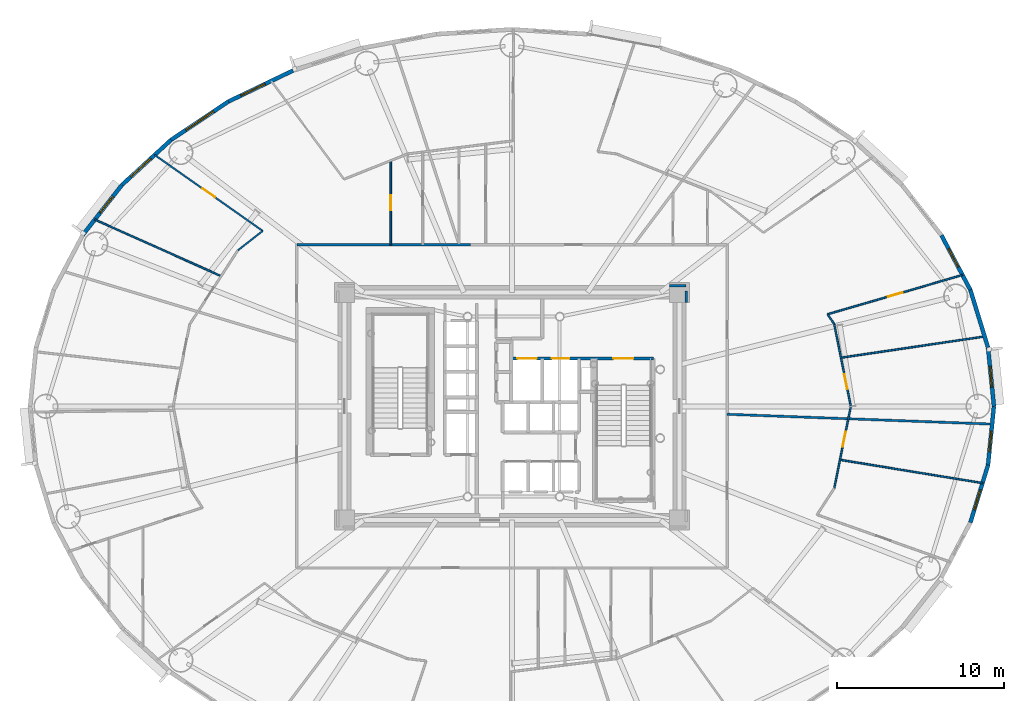
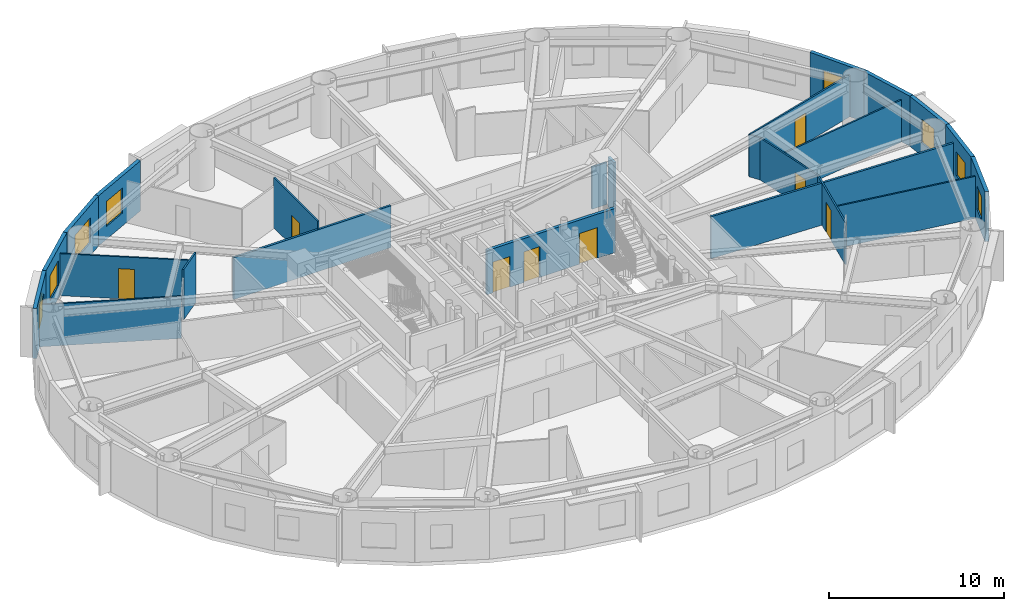
# One storey, part 12 of 19: 24 walls, 8 doors, 8 windows, 16 openings.
"""IFC4 building model written with IfcOpenShell, lengths in metres."""

import ifcopenshell
import ifcopenshell.guid

model = None  # the IFC model being written
_history = None  # IfcOwnerHistory: only IFC2X3 demands one
_inside = {}  # id of a spatial element -> (the spatial element, [elements in it])
_under = {}  # id of a project, library or spatial element -> (it, [spatial elements below it])
_declared = {}  # id of a project -> (the project, [libraries it declares])
_typed = {}  # id of a type object -> (the type object, [elements of that type])
_made_of = {}  # id of a material, layer set ... -> (it, [elements and type objects made of it])


def new_model(schema):
    """Start an empty IFC model of exactly this schema.

    Asked for "IFC4X3", IfcOpenShell would pick the latest addendum, in which some entities
    have other attributes; the version numbers below select the first issue.
    IFC2X3 requires an IfcOwnerHistory on every rooted entity: one is made here for all.
    """
    global model, _history
    if schema == "IFC4X3":
        model = ifcopenshell.file(schema_version=(4, 3, 0, 0))
    else:
        model = ifcopenshell.file(schema=schema)
    _inside.clear()
    _under.clear()
    _declared.clear()
    _typed.clear()
    _made_of.clear()
    _history = None
    if model.schema == "IFC2X3":
        org = make("IfcOrganization", Name="unknown")
        user = make(
            "IfcPersonAndOrganization",
            ThePerson=make("IfcPerson", FamilyName="unknown"),
            TheOrganization=org,
        )
        app = make(
            "IfcApplication",
            ApplicationDeveloper=org,
            Version="unknown",
            ApplicationFullName="unknown",
            ApplicationIdentifier="unknown",
        )
        _history = make(
            "IfcOwnerHistory",
            OwningUser=user,
            OwningApplication=app,
            ChangeAction="ADDED",
            CreationDate=0,
        )
    return model


def make(cls, **values):
    """One entity of the class cls with the attributes given. An attribute that is None is left unset."""
    return model.create_entity(
        cls, **{name: value for name, value in values.items() if value is not None}
    )


def rooted(cls, **values):
    """An entity with a GlobalId (a new one), such as an element, a storey or a relation."""
    return make(cls, GlobalId=ifcopenshell.guid.new(), OwnerHistory=_history, **values)


def si_unit(unit_type, name, prefix=None):
    """IfcSIUnit, for example si_unit("LENGTHUNIT", "METRE", prefix="MILLI")."""
    return make("IfcSIUnit", UnitType=unit_type, Prefix=prefix, Name=name)


def assignment(units):
    """IfcUnitAssignment: the units of a project."""
    return None if units is None else make("IfcUnitAssignment", Units=units)


def point(xyz):
    """IfcCartesianPoint."""
    return None if xyz is None else make("IfcCartesianPoint", Coordinates=xyz)


def direction(xyz):
    """IfcDirection."""
    return None if xyz is None else make("IfcDirection", DirectionRatios=xyz)


def frame(location, z_axis=None, x_axis=None):
    """IfcAxis2Placement3D, a coordinate frame: its origin and axes. An axis left out is left unset."""
    return make(
        "IfcAxis2Placement3D",
        Location=point(location),
        Axis=direction(z_axis),
        RefDirection=direction(x_axis),
    )


def frame_2d(location, x_axis=None):
    """IfcAxis2Placement2D, a coordinate frame in the plane: its origin and x axis."""
    return make(
        "IfcAxis2Placement2D", Location=point(location), RefDirection=direction(x_axis)
    )


def origin():
    """The frame at (0, 0, 0) with its axes left unset."""
    return frame((0.0, 0.0, 0.0))


def origin_2d():
    """The frame at (0, 0) in the plane with its x axis left unset."""
    return frame_2d((0.0, 0.0))


def place(relative_to, where):
    """IfcLocalPlacement: puts the frame where relative to a parent placement (None: the world)."""
    return make(
        "IfcLocalPlacement", PlacementRelTo=relative_to, RelativePlacement=where
    )


def context(
    kind, dimensions, precision=None, world=None, true_north=None, identifier=None
):
    """IfcGeometricRepresentationContext, for example the 3D "Model" context."""
    return make(
        "IfcGeometricRepresentationContext",
        ContextIdentifier=identifier,
        ContextType=kind,
        CoordinateSpaceDimension=dimensions,
        Precision=precision,
        WorldCoordinateSystem=world,
        TrueNorth=true_north,
    )


def subcontext(parent, identifier, kind, view, scale=None):
    """IfcGeometricRepresentationSubContext, for example "Body" below "Model"."""
    return make(
        "IfcGeometricRepresentationSubContext",
        ContextIdentifier=identifier,
        ContextType=kind,
        ParentContext=parent,
        TargetScale=scale,
        TargetView=view,
    )


def project(units=None, contexts=None):
    """IfcProject with its units and contexts."""
    return rooted(
        "IfcProject",
        Name="project",
        RepresentationContexts=contexts,
        UnitsInContext=assignment(units),
    )


def spatial(cls, under=None, at=None, **own):
    """A site, building, storey or space (cls), placed at a placement, below another one or the project."""
    s = rooted(cls, ObjectPlacement=at, **own)
    if under is not None:
        _under.setdefault(under.id(), (under, []))[1].append(s)
    return s


def profile(cls, at=None, kind="AREA", **sizes):
    """A parametric profile (cls). Its sizes go by their IFC names, for example OverallWidth=200.0."""
    return make(cls, ProfileType=kind, Position=at, **sizes)


def rectangle(**sizes):
    """IfcRectangleProfileDef."""
    return profile("IfcRectangleProfileDef", **sizes)


def extrude(swept, where, along, depth):
    """IfcExtrudedAreaSolid: the profile swept, set in the frame where, extruded along a direction by depth."""
    return make(
        "IfcExtrudedAreaSolid",
        SweptArea=swept,
        Position=where,
        ExtrudedDirection=direction(along),
        Depth=depth,
    )


def shape(context_of_items, identifier, shape_type, items):
    """IfcShapeRepresentation: the items that make up one representation, for example the "Body"."""
    return make(
        "IfcShapeRepresentation",
        ContextOfItems=context_of_items,
        RepresentationIdentifier=identifier,
        RepresentationType=shape_type,
        Items=items,
    )


def source(mapping_origin, context_of_items, identifier, shape_type, items):
    """IfcRepresentationMap: a shape defined once, which mapped items show again and again."""
    return make(
        "IfcRepresentationMap",
        MappingOrigin=mapping_origin,
        MappedRepresentation=shape(context_of_items, identifier, shape_type, items),
    )


def transform(
    local_origin,
    x_axis=None,
    y_axis=None,
    z_axis=None,
    scale=None,
    scale2=None,
    scale3=None,
    uniform=True,
):
    """IfcCartesianTransformationOperator3D, or its non-uniform kind. x_axis, y_axis, z_axis: its Axis1, 2, 3."""
    if uniform:
        return make(
            "IfcCartesianTransformationOperator3D",
            Axis1=direction(x_axis),
            Axis2=direction(y_axis),
            LocalOrigin=point(local_origin),
            Scale=scale,
            Axis3=direction(z_axis),
        )
    return make(
        "IfcCartesianTransformationOperator3DnonUniform",
        Axis1=direction(x_axis),
        Axis2=direction(y_axis),
        LocalOrigin=point(local_origin),
        Scale=scale,
        Axis3=direction(z_axis),
        Scale2=scale2,
        Scale3=scale3,
    )


def mapped(mapping_source, mapping_target):
    """IfcMappedItem: shows the shape of a source again, moved by a transform."""
    return make(
        "IfcMappedItem", MappingSource=mapping_source, MappingTarget=mapping_target
    )


def material(Name=None, Category=None):
    """IfcMaterial."""
    return make("IfcMaterial", Name=Name, Category=Category)


def layer(
    of_material, thickness, ventilated=None, Name=None, Category=None, Priority=None
):
    """IfcMaterialLayer: one layer of a wall or slab, of a material (None: an air gap)."""
    return make(
        "IfcMaterialLayer",
        Material=of_material,
        LayerThickness=thickness,
        IsVentilated=ventilated,
        Name=Name,
        Category=Category,
        Priority=Priority,
    )


def layer_set(layers, Name=None):
    """IfcMaterialLayerSet."""
    return make("IfcMaterialLayerSet", MaterialLayers=layers, LayerSetName=Name)


def made_of(thing, what):
    """Note that an element or type object is made of a material, layer set ...; save() writes the relation."""
    if what is not None:
        _made_of.setdefault(what.id(), (what, []))[1].append(thing)
    return thing


def type_object(cls, material=None, **own):
    """A type object (cls), such as IfcWallType, which elements share."""
    return made_of(rooted(cls, **own), material)


def element(
    cls,
    number,
    at=None,
    inside=None,
    cuts=None,
    type_object=None,
    material=None,
    context=None,
    identifier="Body",
    shape_type=None,
    held_by="IfcProductDefinitionShape",
    body=None,
    shapes=None,
    **own,
):
    """One element of the class cls, such as IfcWall. Its Tag is "e" and its number.

    at: its placement. inside: the storey or other place that contains it. cuts: it is an
    opening in that element (IfcRelVoidsElement). A single representation is given by context,
    identifier, shape_type and body (its items); several are given by shapes. held_by: the class
    of the entity that holds the representations. save() writes the other relations.
    """
    e = rooted(cls, Tag="e%d" % number, ObjectPlacement=at, **own)
    if body is not None:
        shapes = [shape(context, identifier, shape_type, body)]
    if shapes is not None:
        e.Representation = make(held_by, Representations=shapes)
    if inside is not None:
        _inside.setdefault(inside.id(), (inside, []))[1].append(e)
    if cuts is not None:
        rooted(
            "IfcRelVoidsElement", RelatingBuildingElement=cuts, RelatedOpeningElement=e
        )
    if type_object is not None:
        _typed.setdefault(type_object.id(), (type_object, []))[1].append(e)
    return made_of(e, material)


def fill(opening, filler):
    """IfcRelFillsElement: the door or window that sits in an opening."""
    return rooted(
        "IfcRelFillsElement",
        RelatingOpeningElement=opening,
        RelatedBuildingElement=filler,
    )


def aggregate(whole, parts):
    """IfcRelAggregates: a whole, such as a stair, and the parts it consists of."""
    return rooted("IfcRelAggregates", RelatingObject=whole, RelatedObjects=parts)


def save(model, path):
    """Write the relations noted so far, then the file.

    IfcRelAggregates (storeys below a building ...), IfcRelContainedInSpatialStructure (elements
    in a storey), IfcRelDefinesByType, IfcRelAssociatesMaterial and IfcRelDeclares: one each for
    every whole, place, type object, material and project.
    """
    for whole, parts in _under.values():
        aggregate(whole, parts)
    for where, things in _inside.values():
        rooted(
            "IfcRelContainedInSpatialStructure",
            RelatedElements=things,
            RelatingStructure=where,
        )
    for kind, things in _typed.values():
        rooted("IfcRelDefinesByType", RelatedObjects=things, RelatingType=kind)
    for what, things in _made_of.values():
        rooted("IfcRelAssociatesMaterial", RelatedObjects=things, RelatingMaterial=what)
    for by, libraries in _declared.values():
        rooted("IfcRelDeclares", RelatingContext=by, RelatedDefinitions=libraries)
    model.write(path)


model = new_model("IFC4")

# Units and contexts
model_context = context("Model", 3, precision=1e-05, world=origin(), true_north=direction((0.0, 1.0)))
body_context = subcontext(model_context, "Body", "Model", "MODEL_VIEW")
ifc_project = project(units=[si_unit("LENGTHUNIT", "METRE"), si_unit("AREAUNIT", "SQUARE_METRE"), si_unit("VOLUMEUNIT", "CUBIC_METRE"), si_unit("PLANEANGLEUNIT", "RADIAN"), si_unit("MASSUNIT", "GRAM", prefix="KILO")], contexts=[model_context])

# Site, building, storey
site_placement = place(None, origin())
site = spatial("IfcSite", under=ifc_project, at=site_placement, CompositionType="ELEMENT")
building_placement = place(site_placement, origin())
building = spatial("IfcBuilding", under=site, at=building_placement, Name="Linh Dai School and Residence Tower", CompositionType="ELEMENT")
storey_placement = place(building_placement, frame((0.0, 0.0, 112.199951171875)))
storey = spatial("IfcBuildingStorey", under=building, at=storey_placement, Name="L26", CompositionType="ELEMENT", Elevation=112.199951171875)

# Wall, opening, window
ifc_material_1 = material(Name="Precast Concrete B45 (C35/45)", Category="concrete")
ifc_layer_1 = layer(ifc_material_1, 0.239990234375)
ifc_layer_set_1 = layer_set([ifc_layer_1], Name="Precast Concrete B45 (C35/45)")
wall_type_1 = type_object("IfcWallType", Name="EW-TC-240", PredefinedType="SOLIDWALL", material=ifc_layer_set_1)
wall_1_placement = place(storey_placement, frame((64.421630859375, 30.515380859375, 0.0), z_axis=(0.0, 0.0, 1.0), x_axis=(0.099989468229, -0.994988495533, 0.0)))
wall_1 = element("IfcWall", 1, at=wall_1_placement, inside=storey, type_object=wall_type_1, Name="L26 Terracotta Exterior Wall 01", PredefinedType="SOLIDWALL", context=body_context, shape_type="SweptSolid", body=[
    extrude(rectangle(XDim=3.533203125, YDim=0.239990234375, at=frame_2d((1.7666015625, 0.0))), origin(), (0.0, 0.0, 1.0), 3.5),
])
opening_1_placement = place(wall_1_placement, frame((1.1416015625, 0.0, 0.89990234375)))
opening_1 = element("IfcOpeningElement", 2, at=opening_1_placement, cuts=wall_1, Name="Opening W3", PredefinedType="OPENING", context=body_context, shape_type="SweptSolid", body=[
    extrude(rectangle(XDim=1.25, YDim=1.64990234375, at=origin_2d()), frame((0.625, 0.1298828125, 0.824951171875), z_axis=(0.0, -1.0, 0.0), x_axis=(1.0, 0.0, 0.0)), (0.0, 0.0, 1.0), 0.260009765625),
])
ifc_material_2 = material(Name="Double Low-E Insulated Glazing", Category="glass")
window_type_1 = type_object("IfcWindowType", Name="WN-RES-1250x1650", PartitioningType="SINGLE_PANEL", PredefinedType="WINDOW", material=ifc_material_2)
shared_shape_1 = source(origin(), body_context, "Body", "SweptSolid", [
    extrude(rectangle(XDim=1.25, YDim=1.64990234375, at=origin_2d()), frame((0.625, 0.030029296875, 0.824951171875), z_axis=(0.0, -1.0, 0.0), x_axis=(1.0, 0.0, 0.0)), (0.0, 0.0, 1.0), 0.06005859375),
])
window_1_placement = place(opening_1_placement, origin())
window_1 = element("IfcWindow", 3, at=window_1_placement, inside=storey, type_object=window_type_1, Name="L26 Dwelling Window U2606-BD1", OverallHeight=1.64990234375, OverallWidth=1.25, PartitioningType="SINGLE_PANEL", PredefinedType="WINDOW", context=body_context, shape_type="MappedRepresentation", body=[
    mapped(shared_shape_1, transform((0.0, 0.0, 0.0), x_axis=(1.0, 0.0, 0.0), y_axis=(0.0, 1.0, 0.0), z_axis=(0.0, 0.0, 1.0), scale=1.0)),
])
fill(opening_1, window_1)

# Wall
wall_2_placement = place(storey_placement, frame((63.3701171875, 33.945068359375, 0.0), z_axis=(0.0, 0.0, 1.0), x_axis=(0.293124431344, -0.956074300329, 0.0)))
element("IfcWall", 4, at=wall_2_placement, inside=storey, type_object=wall_type_1, Name="L26 Terracotta Exterior Wall 02", PredefinedType="SOLIDWALL", context=body_context, shape_type="SweptSolid", body=[
    extrude(rectangle(XDim=3.587158203125, YDim=0.239990234375, at=frame_2d((1.79345703125, 0.0))), origin(), (0.0, 0.0, 1.0), 3.5),
])

# Wall, opening, window
wall_3_placement = place(storey_placement, frame((61.645263671875, 37.20556640625, 0.0), z_axis=(0.0, 0.0, 1.0), x_axis=(0.467614004126, -0.883932770716, 0.0)))
wall_3 = element("IfcWall", 5, at=wall_3_placement, inside=storey, type_object=wall_type_1, Name="L26 Terracotta Exterior Wall 03", PredefinedType="SOLIDWALL", context=body_context, shape_type="SweptSolid", body=[
    extrude(rectangle(XDim=3.688720703125, YDim=0.239990234375, at=frame_2d((1.84423828125, 0.0))), origin(), (0.0, 0.0, 1.0), 3.5),
])
opening_2_placement = place(wall_3_placement, frame((0.89599609375, 0.0, 0.89990234375)))
opening_2 = element("IfcOpeningElement", 6, at=opening_2_placement, cuts=wall_3, Name="Opening W3", PredefinedType="OPENING", context=body_context, shape_type="SweptSolid", body=[
    extrude(rectangle(XDim=1.25, YDim=1.64990234375, at=origin_2d()), frame((0.625, 0.1298828125, 0.824951171875), z_axis=(0.0, -1.0, 0.0), x_axis=(1.0, 0.0, 0.0)), (0.0, 0.0, 1.0), 0.260009765625),
])
window_2_placement = place(opening_2_placement, origin())
window_2 = element("IfcWindow", 7, at=window_2_placement, inside=storey, type_object=window_type_1, Name="L26 Exterior Window 03.1", OverallHeight=1.64990234375, OverallWidth=1.25, PartitioningType="SINGLE_PANEL", PredefinedType="WINDOW", context=body_context, shape_type="MappedRepresentation", body=[
    mapped(shared_shape_1, transform((0.0, 0.0, 0.0), x_axis=(1.0, 0.0, 0.0), y_axis=(0.0, 1.0, 0.0), z_axis=(0.0, 0.0, 1.0), scale=1.0)),
])
fill(opening_2, window_2)

wall_4_placement = place(storey_placement, frame((19.07470703125, 45.199462890625, 0.0), z_axis=(0.0, 0.0, 1.0), x_axis=(0.901589935876, 0.432591709962, 0.0)))
wall_4 = element("IfcWall", 8, at=wall_4_placement, inside=storey, type_object=wall_type_1, Name="L26 Terracotta Exterior Wall 14", PredefinedType="SOLIDWALL", context=body_context, shape_type="SweptSolid", body=[
    extrude(rectangle(XDim=4.271728515625, YDim=0.239990234375, at=frame_2d((2.1357421875, 0.0))), origin(), (0.0, 0.0, 1.0), 3.5),
])
opening_3_placement = place(wall_4_placement, frame((0.82177734375, 0.0, 0.89990234375)))
opening_3 = element("IfcOpeningElement", 9, at=opening_3_placement, cuts=wall_4, Name="Opening W2", PredefinedType="OPENING", context=body_context, shape_type="SweptSolid", body=[
    extrude(rectangle(XDim=1.60009765625, YDim=1.75, at=origin_2d()), frame((0.800048828125, 0.1298828125, 0.875), z_axis=(0.0, -1.0, 0.0), x_axis=(1.0, 0.0, 0.0)), (0.0, 0.0, 1.0), 0.260009765625),
])
window_type_2 = type_object("IfcWindowType", Name="WN-RES-1600x1750", PartitioningType="DOUBLE_PANEL_VERTICAL", PredefinedType="WINDOW", material=ifc_material_2)
shared_shape_2 = source(origin(), body_context, "Body", "SweptSolid", [
    extrude(rectangle(XDim=1.60009765625, YDim=1.75, at=origin_2d()), frame((0.800048828125, 0.030029296875, 0.875), z_axis=(0.0, -1.0, 0.0), x_axis=(1.0, 0.0, 0.0)), (0.0, 0.0, 1.0), 0.06005859375),
])
window_3_placement = place(opening_3_placement, origin())
window_3 = element("IfcWindow", 10, at=window_3_placement, inside=storey, type_object=window_type_2, Name="L26 Exterior Window 14.1", OverallHeight=1.75, OverallWidth=1.60009765625, PartitioningType="DOUBLE_PANEL_VERTICAL", PredefinedType="WINDOW", context=body_context, shape_type="MappedRepresentation", body=[
    mapped(shared_shape_2, transform((0.0, 0.0, 0.0), x_axis=(1.0, 0.0, 0.0), y_axis=(0.0, 1.0, 0.0), z_axis=(0.0, 0.0, 1.0), scale=1.0)),
])
fill(opening_3, window_3)

wall_5_placement = place(storey_placement, frame((15.6416015625, 42.9033203125, 0.0), z_axis=(0.0, 0.0, 1.0), x_axis=(0.831221811447, 0.555940914284, 0.0)))
wall_5 = element("IfcWall", 11, at=wall_5_placement, inside=storey, type_object=wall_type_1, Name="L26 Terracotta Exterior Wall 15", PredefinedType="SOLIDWALL", context=body_context, shape_type="SweptSolid", body=[
    extrude(rectangle(XDim=4.130126953125, YDim=0.239990234375, at=frame_2d((2.06494140625, 0.0))), origin(), (0.0, 0.0, 1.0), 3.5),
])
opening_4_placement = place(wall_5_placement, frame((1.065185546875, 0.0, 0.89990234375)))
opening_4 = element("IfcOpeningElement", 12, at=opening_4_placement, cuts=wall_5, Name="Opening W1", PredefinedType="OPENING", context=body_context, shape_type="SweptSolid", body=[
    extrude(rectangle(XDim=2.0, YDim=1.75, at=origin_2d()), frame((1.0, 0.1298828125, 0.875), z_axis=(0.0, -1.0, 0.0), x_axis=(1.0, 0.0, 0.0)), (0.0, 0.0, 1.0), 0.260009765625),
])
window_type_3 = type_object("IfcWindowType", Name="WN-RES-2000x1750", PartitioningType="DOUBLE_PANEL_VERTICAL", PredefinedType="WINDOW", material=ifc_material_2)
shared_shape_3 = source(origin(), body_context, "Body", "SweptSolid", [
    extrude(rectangle(XDim=2.0, YDim=1.75, at=origin_2d()), frame((1.0, 0.030029296875, 0.875), z_axis=(0.0, -1.0, 0.0), x_axis=(1.0, 0.0, 0.0)), (0.0, 0.0, 1.0), 0.06005859375),
])
window_4_placement = place(opening_4_placement, origin())
window_4 = element("IfcWindow", 13, at=window_4_placement, inside=storey, type_object=window_type_3, Name="L26 Exterior Window 15.1", OverallHeight=1.75, OverallWidth=2.0, PartitioningType="DOUBLE_PANEL_VERTICAL", PredefinedType="WINDOW", context=body_context, shape_type="MappedRepresentation", body=[
    mapped(shared_shape_3, transform((0.0, 0.0, 0.0), x_axis=(1.0, 0.0, 0.0), y_axis=(0.0, 1.0, 0.0), z_axis=(0.0, 0.0, 1.0), scale=1.0)),
])
fill(opening_4, window_4)

wall_6_placement = place(storey_placement, frame((12.7109375, 40.216552734375, 0.0), z_axis=(0.0, 0.0, 1.0), x_axis=(0.737113356241, 0.675769117414, 0.0)))
wall_6 = element("IfcWall", 14, at=wall_6_placement, inside=storey, type_object=wall_type_1, Name="L26 Terracotta Exterior Wall 16", PredefinedType="SOLIDWALL", context=body_context, shape_type="SweptSolid", body=[
    extrude(rectangle(XDim=3.975830078125, YDim=0.239990234375, at=frame_2d((1.98779296875, 0.0))), origin(), (0.0, 0.0, 1.0), 3.5),
])
opening_5_placement = place(wall_6_placement, frame((0.734375, 0.0, 0.89990234375)))
opening_5 = element("IfcOpeningElement", 15, at=opening_5_placement, cuts=wall_6, Name="Opening W2", PredefinedType="OPENING", context=body_context, shape_type="SweptSolid", body=[
    extrude(rectangle(XDim=1.60009765625, YDim=1.75, at=origin_2d()), frame((0.800048828125, 0.1298828125, 0.875), z_axis=(0.0, -1.0, 0.0), x_axis=(1.0, 0.0, 0.0)), (0.0, 0.0, 1.0), 0.260009765625),
])
window_5_placement = place(opening_5_placement, origin())
window_5 = element("IfcWindow", 16, at=window_5_placement, inside=storey, type_object=window_type_2, Name="L26 Exterior Window 16.1", OverallHeight=1.75, OverallWidth=1.60009765625, PartitioningType="DOUBLE_PANEL_VERTICAL", PredefinedType="WINDOW", context=body_context, shape_type="MappedRepresentation", body=[
    mapped(shared_shape_2, transform((0.0, 0.0, 0.0), x_axis=(1.0, 0.0, 0.0), y_axis=(0.0, 1.0, 0.0), z_axis=(0.0, 0.0, 1.0), scale=1.0)),
])
fill(opening_5, window_5)

wall_7_placement = place(storey_placement, frame((10.354736328125, 37.20556640625, 0.0), z_axis=(0.0, 0.0, 1.0), x_axis=(0.616272103517, 0.787533297345, 0.0)))
wall_7 = element("IfcWall", 17, at=wall_7_placement, inside=storey, type_object=wall_type_1, Name="L26 Terracotta Exterior Wall 17", PredefinedType="SOLIDWALL", context=body_context, shape_type="SweptSolid", body=[
    extrude(rectangle(XDim=3.8232421875, YDim=0.239990234375, at=frame_2d((1.91162109375, 0.0))), origin(), (0.0, 0.0, 1.0), 3.5),
])
opening_6_placement = place(wall_7_placement, frame((1.704833984375, 0.0, 0.89990234375)))
opening_6 = element("IfcOpeningElement", 18, at=opening_6_placement, cuts=wall_7, Name="Opening W3", PredefinedType="OPENING", context=body_context, shape_type="SweptSolid", body=[
    extrude(rectangle(XDim=1.25, YDim=1.64990234375, at=origin_2d()), frame((0.625, 0.1298828125, 0.824951171875), z_axis=(0.0, -1.0, 0.0), x_axis=(1.0, 0.0, 0.0)), (0.0, 0.0, 1.0), 0.260009765625),
])
window_6_placement = place(opening_6_placement, origin())
window_6 = element("IfcWindow", 19, at=window_6_placement, inside=storey, type_object=window_type_1, Name="L26 Exterior Window 17.1", OverallHeight=1.64990234375, OverallWidth=1.25, PartitioningType="SINGLE_PANEL", PredefinedType="WINDOW", context=body_context, shape_type="MappedRepresentation", body=[
    mapped(shared_shape_1, transform((0.0, 0.0, 0.0), x_axis=(1.0, 0.0, 0.0), y_axis=(0.0, 1.0, 0.0), z_axis=(0.0, 0.0, 1.0), scale=1.0)),
])
fill(opening_6, window_6)

wall_8_placement = place(storey_placement, frame((64.421630859375, 23.484619140625, 0.0), z_axis=(0.0, 0.0, 1.0), x_axis=(-0.293124431344, -0.956074300329, 0.0)))
wall_8 = element("IfcWall", 20, at=wall_8_placement, inside=storey, type_object=wall_type_1, Name="L26 Terracotta Exterior Wall 39", PredefinedType="SOLIDWALL", context=body_context, shape_type="SweptSolid", body=[
    extrude(rectangle(XDim=3.587158203125, YDim=0.239990234375, at=frame_2d((1.79345703125, 0.0))), origin(), (0.0, 0.0, 1.0), 3.5),
])
opening_7_placement = place(wall_8_placement, frame((1.54052734375, 0.0, 0.89990234375)))
opening_7 = element("IfcOpeningElement", 21, at=opening_7_placement, cuts=wall_8, Name="Opening W3", PredefinedType="OPENING", context=body_context, shape_type="SweptSolid", body=[
    extrude(rectangle(XDim=1.25, YDim=1.64990234375, at=origin_2d()), frame((0.625, 0.1298828125, 0.824951171875), z_axis=(0.0, -1.0, 0.0), x_axis=(1.0, 0.0, 0.0)), (0.0, 0.0, 1.0), 0.260009765625),
])
window_7_placement = place(opening_7_placement, origin())
window_7 = element("IfcWindow", 22, at=window_7_placement, inside=storey, type_object=window_type_1, Name="L26 Exterior Window 39.1", OverallHeight=1.64990234375, OverallWidth=1.25, PartitioningType="SINGLE_PANEL", PredefinedType="WINDOW", context=body_context, shape_type="MappedRepresentation", body=[
    mapped(shared_shape_1, transform((0.0, 0.0, 0.0), x_axis=(1.0, 0.0, 0.0), y_axis=(0.0, 1.0, 0.0), z_axis=(0.0, 0.0, 1.0), scale=1.0)),
])
fill(opening_7, window_7)

wall_9_placement = place(storey_placement, frame((64.77490234375, 27.0, 0.0), z_axis=(0.0, 0.0, 1.0), x_axis=(-0.099989468229, -0.994988495533, 0.0)))
wall_9 = element("IfcWall", 23, at=wall_9_placement, inside=storey, type_object=wall_type_1, Name="L26 Terracotta Exterior Wall 40", PredefinedType="SOLIDWALL", context=body_context, shape_type="SweptSolid", body=[
    extrude(rectangle(XDim=3.533203125, YDim=0.239990234375, at=frame_2d((1.7666015625, 0.0))), origin(), (0.0, 0.0, 1.0), 3.5),
])
opening_8_placement = place(wall_9_placement, frame((1.48388671875, 0.0, 0.89990234375)))
opening_8 = element("IfcOpeningElement", 24, at=opening_8_placement, cuts=wall_9, Name="Opening W3", PredefinedType="OPENING", context=body_context, shape_type="SweptSolid", body=[
    extrude(rectangle(XDim=1.25, YDim=1.64990234375, at=origin_2d()), frame((0.625, 0.1298828125, 0.824951171875), z_axis=(0.0, -1.0, 0.0), x_axis=(1.0, 0.0, 0.0)), (0.0, 0.0, 1.0), 0.260009765625),
])
window_8_placement = place(opening_8_placement, origin())
window_8 = element("IfcWindow", 25, at=window_8_placement, inside=storey, type_object=window_type_1, Name="L26 Exterior Window 40.1", OverallHeight=1.64990234375, OverallWidth=1.25, PartitioningType="SINGLE_PANEL", PredefinedType="WINDOW", context=body_context, shape_type="MappedRepresentation", body=[
    mapped(shared_shape_1, transform((0.0, 0.0, 0.0), x_axis=(1.0, 0.0, 0.0), y_axis=(0.0, 1.0, 0.0), z_axis=(0.0, 0.0, 1.0), scale=1.0)),
])
fill(opening_8, window_8)

# Walls
ifc_material_3 = material(Name="Autoclaved Aerated Concrete Blockwork", Category="masonry")
ifc_layer_2 = layer(ifc_material_3, 0.135009765625)
ifc_layer_set_2 = layer_set([ifc_layer_2], Name="Autoclaved Aerated Concrete Blockwork")
wall_type_2 = type_object("IfcWallType", Name="IW-CORR-135-EI90", PredefinedType="PARTITIONING", material=ifc_layer_set_2)
wall_10_placement = place(storey_placement, frame((23.14990234375, 36.64990234375, 0.0), z_axis=(0.0, 0.0, 1.0), x_axis=(1.0, 0.0, 0.0)))
element("IfcWall", 26, at=wall_10_placement, inside=storey, type_object=wall_type_2, Name="L26 Interior Partition Wall 022", PredefinedType="PARTITIONING", context=body_context, shape_type="SweptSolid", body=[
    extrude(rectangle(XDim=10.373046875, YDim=0.135009765625, at=frame_2d((5.1865234375, 0.0))), origin(), (0.0, 0.0, 1.0), 2.93505859375),
])
wall_11_placement = place(storey_placement, frame((48.85009765625, 26.523193359375, 0.0), z_axis=(0.0, 0.0, 1.0), x_axis=(0.999312212169, -0.03708237599, 0.0)))
element("IfcWall", 27, at=wall_11_placement, inside=storey, type_object=wall_type_2, Name="L26 Interior Partition Wall 090", PredefinedType="PARTITIONING", context=body_context, shape_type="SweptSolid", body=[
    extrude(rectangle(XDim=15.833984375, YDim=0.135009765625, at=frame_2d((7.9169921875, 0.0))), origin(), (0.0, 0.0, 1.0), 2.93505859375),
])
wall_12_placement = place(storey_placement, frame((46.39990234375, 34.199951171875, 0.0), z_axis=(0.0, 0.0, 1.0), x_axis=(-1.0, 0.0, 0.0)))
element("IfcWall", 28, at=wall_12_placement, inside=storey, type_object=wall_type_2, Name="L26 Interior Partition Wall 113", PredefinedType="PARTITIONING", context=body_context, shape_type="SweptSolid", body=[
    extrude(rectangle(XDim=0.989990234375, YDim=0.135009765625, at=frame_2d((0.4951171875, 0.0))), origin(), (0.0, 0.0, 1.0), 2.93505859375),
])
wall_13_placement = place(storey_placement, frame((46.39990234375, 33.2099609375, 0.0), z_axis=(0.0, 0.0, 1.0), x_axis=(0.0, 1.0, 0.0)))
element("IfcWall", 29, at=wall_13_placement, inside=storey, type_object=wall_type_2, Name="L26 Interior Partition Wall 120", PredefinedType="PARTITIONING", context=body_context, shape_type="SweptSolid", body=[
    extrude(rectangle(XDim=0.6826171875, YDim=0.135009765625, at=frame_2d((0.34130859375, 0.0))), origin(), (0.0, 0.0, 1.0), 3.5),
])

# Wall, openings, doors
ifc_material_4 = material(Name="Concrete B45 (C35/45)", Category="concrete")
ifc_layer_3 = layer(ifc_material_4, 0.199951171875)
ifc_layer_set_3 = layer_set([ifc_layer_3], Name="Concrete B45 (C35/45)")
wall_type_3 = type_object("IfcWallType", Name="IW-SHAFT-200-EI120", PredefinedType="PARTITIONING", material=ifc_layer_set_3)
wall_14_placement = place(storey_placement, frame((35.949951171875, 29.85009765625, 0.0), z_axis=(0.0, 0.0, 1.0), x_axis=(1.0, 0.0, 0.0)))
wall_14 = element("IfcWall", 30, at=wall_14_placement, inside=storey, type_object=wall_type_3, Name="L26 Interior Partition Wall 054", PredefinedType="PARTITIONING", context=body_context, shape_type="SweptSolid", body=[
    extrude(rectangle(XDim=8.489990234375, YDim=0.199951171875, at=frame_2d((4.2451171875, 0.0))), origin(), (0.0, 0.0, 1.0), 3.0849609375),
])
opening_9_placement = place(wall_14_placement, frame((6.10009765625, 0.0, 0.0)))
opening_9 = element("IfcOpeningElement", 31, at=opening_9_placement, cuts=wall_14, Name="Opening D01", PredefinedType="OPENING", context=body_context, shape_type="SweptSolid", body=[
    extrude(rectangle(XDim=1.199951171875, YDim=2.14990234375, at=origin_2d()), frame((0.60009765625, 0.10986328125, 1.074951171875), z_axis=(0.0, -1.0, 0.0), x_axis=(1.0, 0.0, 0.0)), (0.0, 0.0, 1.0), 0.219970703125),
])
opening_10_placement = place(wall_14_placement, frame((0.3701171875, 0.0, 0.0)))
opening_10 = element("IfcOpeningElement", 32, at=opening_10_placement, cuts=wall_14, Name="Opening LD-FF1", PredefinedType="OPENING", context=body_context, shape_type="SweptSolid", body=[
    extrude(rectangle(XDim=1.14990234375, YDim=2.14990234375, at=origin_2d()), frame((0.574951171875, 0.10986328125, 1.074951171875), z_axis=(0.0, -1.0, 0.0), x_axis=(1.0, 0.0, 0.0)), (0.0, 0.0, 1.0), 0.219970703125),
])
opening_11_placement = place(wall_14_placement, frame((2.425048828125, 0.0, 0.0)))
opening_11 = element("IfcOpeningElement", 33, at=opening_11_placement, cuts=wall_14, Name="Opening LD-SV1", PredefinedType="OPENING", context=body_context, shape_type="SweptSolid", body=[
    extrude(rectangle(XDim=1.050048828125, YDim=2.14990234375, at=origin_2d()), frame((0.52490234375, 0.10986328125, 1.074951171875), z_axis=(0.0, -1.0, 0.0), x_axis=(1.0, 0.0, 0.0)), (0.0, 0.0, 1.0), 0.219970703125),
])
ifc_material_5 = material(Name="Fire-Rated Steel Door Leaf", Category="steel")
door_type_1 = type_object("IfcDoorType", Name="DR-STAIR-1200x2150-FD90S", OperationType="NOTDEFINED", PredefinedType="DOOR", material=ifc_material_5)
shared_shape_4 = source(origin(), body_context, "Body", "SweptSolid", [
    extrude(rectangle(XDim=1.199951171875, YDim=2.14990234375, at=origin_2d()), frame((0.60009765625, 0.02490234375, 1.074951171875), z_axis=(0.0, -1.0, 0.0), x_axis=(1.0, 0.0, 0.0)), (0.0, 0.0, 1.0), 0.050048828125),
])
door_1_placement = place(opening_9_placement, origin())
door_1 = element("IfcDoor", 34, at=door_1_placement, inside=storey, type_object=door_type_1, Name="L26 Core Smokeproof Exit Stair ST2 Door", OperationType="SINGLE_SWING_LEFT", OverallHeight=2.14990234375, OverallWidth=1.199951171875, PredefinedType="DOOR", context=body_context, shape_type="MappedRepresentation", body=[
    mapped(shared_shape_4, transform((0.0, 0.0, 0.0), x_axis=(1.0, 0.0, 0.0), y_axis=(0.0, 1.0, 0.0), z_axis=(0.0, 0.0, 1.0), scale=1.0)),
])
fill(opening_9, door_1)
ifc_material_6 = material(Name="Fire-Rated Stainless Steel Firefighting Lift Door", Category="steel")
door_type_2 = type_object("IfcDoorType", Name="DR-LD-FF-1150x2150-FD120", OperationType="DOUBLE_DOOR_SLIDING", PredefinedType="USERDEFINED", material=ifc_material_6)
shared_shape_5 = source(origin(), body_context, "Body", "SweptSolid", [
    extrude(rectangle(XDim=1.14990234375, YDim=2.14990234375, at=origin_2d()), frame((0.574951171875, 0.02490234375, 1.074951171875), z_axis=(0.0, -1.0, 0.0), x_axis=(1.0, 0.0, 0.0)), (0.0, 0.0, 1.0), 0.050048828125),
])
door_2_placement = place(opening_10_placement, origin())
door_2 = element("IfcDoor", 35, at=door_2_placement, inside=storey, type_object=door_type_2, Name="L26 Lift FF1 Sliding Landing Door", ObjectType="LANDING DOOR", OperationType="DOUBLE_DOOR_SLIDING", OverallHeight=2.14990234375, OverallWidth=1.14990234375, PredefinedType="USERDEFINED", context=body_context, shape_type="MappedRepresentation", body=[
    mapped(shared_shape_5, transform((0.0, 0.0, 0.0), x_axis=(1.0, 0.0, 0.0), y_axis=(0.0, 1.0, 0.0), z_axis=(0.0, 0.0, 1.0), scale=1.0)),
])
fill(opening_10, door_2)
ifc_material_7 = material(Name="Brushed Stainless Steel Lift Landing Door", Category="steel")
door_type_3 = type_object("IfcDoorType", Name="DR-LD-PASS-1050x2150", OperationType="DOUBLE_DOOR_SLIDING", PredefinedType="USERDEFINED", material=ifc_material_7)
shared_shape_6 = source(origin(), body_context, "Body", "SweptSolid", [
    extrude(rectangle(XDim=1.050048828125, YDim=2.14990234375, at=origin_2d()), frame((0.52490234375, 0.02490234375, 1.074951171875), z_axis=(0.0, -1.0, 0.0), x_axis=(1.0, 0.0, 0.0)), (0.0, 0.0, 1.0), 0.050048828125),
])
door_3_placement = place(opening_11_placement, origin())
door_3 = element("IfcDoor", 36, at=door_3_placement, inside=storey, type_object=door_type_3, Name="L26 Lift SV1 Sliding Landing Door", ObjectType="LANDING DOOR", OperationType="DOUBLE_DOOR_SLIDING", OverallHeight=2.14990234375, OverallWidth=1.050048828125, PredefinedType="USERDEFINED", context=body_context, shape_type="MappedRepresentation", body=[
    mapped(shared_shape_6, transform((0.0, 0.0, 0.0), x_axis=(1.0, 0.0, 0.0), y_axis=(0.0, 1.0, 0.0), z_axis=(0.0, 0.0, 1.0), scale=1.0)),
])
fill(opening_11, door_3)

# Wall
ifc_material_8 = material(Name="Gypsum Plasterboard Acoustic Stud Partition", Category="masonry")
ifc_layer_4 = layer(ifc_material_8, 0.10009765625)
ifc_layer_set_4 = layer_set([ifc_layer_4], Name="Gypsum Plasterboard Acoustic Stud Partition")
wall_type_4 = type_object("IfcWallType", Name="IW-UNIT-100", PredefinedType="PARTITIONING", material=ifc_layer_set_4)
wall_15_placement = place(storey_placement, frame((11.087158203125, 38.149658203125, 0.0), z_axis=(0.0, 0.0, 1.0), x_axis=(0.912756243594, -0.408504638627, 0.0)))
element("IfcWall", 37, at=wall_15_placement, inside=storey, type_object=wall_type_4, Name="L26 Interior Partition Wall 006", PredefinedType="PARTITIONING", context=body_context, shape_type="SweptSolid", body=[
    extrude(rectangle(XDim=8.2666015625, YDim=0.10009765625, at=frame_2d((4.13330078125, 0.0))), origin(), (0.0, 0.0, 1.0), 2.93505859375),
])

# Wall, opening, door
wall_16_placement = place(storey_placement, frame((14.6611328125, 42.01123046875, 0.0), z_axis=(0.0, 0.0, 1.0), x_axis=(0.817899711196, -0.575360810645, 0.0)))
wall_16 = element("IfcWall", 38, at=wall_16_placement, inside=storey, type_object=wall_type_4, Name="L26 Interior Partition Wall 009", PredefinedType="PARTITIONING", context=body_context, shape_type="SweptSolid", body=[
    extrude(rectangle(XDim=7.890869140625, YDim=0.10009765625, at=frame_2d((3.9453125, 0.0))), origin(), (0.0, 0.0, 1.0), 2.93505859375),
])
opening_12_placement = place(wall_16_placement, frame((3.495361328125, 0.0, 0.0)))
opening_12 = element("IfcOpeningElement", 39, at=opening_12_placement, cuts=wall_16, Name="Opening D05", PredefinedType="OPENING", context=body_context, shape_type="SweptSolid", body=[
    extrude(rectangle(XDim=0.89990234375, YDim=2.10009765625, at=origin_2d()), frame((0.449951171875, 0.06005859375, 1.050048828125), z_axis=(0.0, -1.0, 0.0), x_axis=(1.0, 0.0, 0.0)), (0.0, 0.0, 1.0), 0.1201171875),
])
ifc_material_9 = material(Name="Engineered Timber Internal Door", Category="wood")
door_type_4 = type_object("IfcDoorType", Name="DR-INT-900x2100", OperationType="NOTDEFINED", PredefinedType="DOOR", material=ifc_material_9)
shared_shape_7 = source(origin(), body_context, "Body", "SweptSolid", [
    extrude(rectangle(XDim=0.89990234375, YDim=2.10009765625, at=origin_2d()), frame((0.449951171875, 0.02490234375, 1.050048828125), z_axis=(0.0, -1.0, 0.0), x_axis=(1.0, 0.0, 0.0)), (0.0, 0.0, 1.0), 0.050048828125),
])
door_4_placement = place(opening_12_placement, origin())
door_4 = element("IfcDoor", 40, at=door_4_placement, inside=storey, type_object=door_type_4, Name="L26 Apartment U2602 Principal Bedroom 2 Door", OperationType="SINGLE_SWING_LEFT", OverallHeight=2.10009765625, OverallWidth=0.89990234375, PredefinedType="DOOR", context=body_context, shape_type="MappedRepresentation", body=[
    mapped(shared_shape_7, transform((0.0, 0.0, 0.0), x_axis=(1.0, 0.0, 0.0), y_axis=(0.0, 1.0, 0.0), z_axis=(0.0, 0.0, 1.0), scale=1.0)),
])
fill(opening_12, door_4)

# Wall
wall_17_placement = place(storey_placement, frame((19.633544921875, 36.31103515625, 0.0), z_axis=(0.0, 0.0, 1.0), x_axis=(0.787307829703, 0.616560119768, 0.0)))
element("IfcWall", 41, at=wall_17_placement, inside=storey, type_object=wall_type_4, Name="L26 Interior Partition Wall 016", PredefinedType="PARTITIONING", context=body_context, shape_type="SweptSolid", body=[
    extrude(rectangle(XDim=1.881591796875, YDim=0.10009765625, at=frame_2d((0.94091796875, 0.0))), origin(), (0.0, 0.0, 1.0), 3.5),
])

# Wall, opening, door
wall_18_placement = place(storey_placement, frame((28.76416015625, 36.64990234375, 0.0), z_axis=(0.0, 0.0, 1.0), x_axis=(0.0, 1.0, 0.0)))
wall_18 = element("IfcWall", 42, at=wall_18_placement, inside=storey, type_object=wall_type_4, Name="L26 Interior Partition Wall 027", PredefinedType="PARTITIONING", context=body_context, shape_type="SweptSolid", body=[
    extrude(rectangle(XDim=5.02294921875, YDim=0.10009765625, at=frame_2d((2.511474609375, 0.0))), origin(), (0.0, 0.0, 1.0), 3.5),
])
opening_13_placement = place(wall_18_placement, frame((2.0615234375, 0.0, 0.0)))
opening_13 = element("IfcOpeningElement", 43, at=opening_13_placement, cuts=wall_18, Name="Opening D05", PredefinedType="OPENING", context=body_context, shape_type="SweptSolid", body=[
    extrude(rectangle(XDim=0.89990234375, YDim=2.10009765625, at=origin_2d()), frame((0.449951171875, 0.06005859375, 1.050048828125), z_axis=(0.0, -1.0, 0.0), x_axis=(1.0, 0.0, 0.0)), (0.0, 0.0, 1.0), 0.1201171875),
])
door_5_placement = place(opening_13_placement, origin())
door_5 = element("IfcDoor", 44, at=door_5_placement, inside=storey, type_object=door_type_4, Name="L26 Apartment U2602 Kitchen Door", OperationType="SINGLE_SWING_LEFT", OverallHeight=2.10009765625, OverallWidth=0.89990234375, PredefinedType="DOOR", context=body_context, shape_type="MappedRepresentation", body=[
    mapped(shared_shape_7, transform((0.0, 0.0, 0.0), x_axis=(1.0, 0.0, 0.0), y_axis=(0.0, 1.0, 0.0), z_axis=(0.0, 0.0, 1.0), scale=1.0)),
])
fill(opening_13, door_5)

# Wall
wall_19_placement = place(storey_placement, frame((54.85009765625, 32.494384765625, 0.0), z_axis=(0.0, 0.0, 1.0), x_axis=(0.545288355623, -0.838248536665, 0.0)))
element("IfcWall", 45, at=wall_19_placement, inside=storey, type_object=wall_type_4, Name="L26 Interior Partition Wall 095", PredefinedType="PARTITIONING", context=body_context, shape_type="SweptSolid", body=[
    extrude(rectangle(XDim=0.715087890625, YDim=0.10009765625, at=frame_2d((0.357421875, 0.0))), origin(), (0.0, 0.0, 1.0), 2.93505859375),
])

# Wall, opening, door
wall_20_placement = place(storey_placement, frame((54.85009765625, 32.494384765625, 0.0), z_axis=(0.0, 0.0, 1.0), x_axis=(0.960056058733, 0.279807727002, 0.0)))
wall_20 = element("IfcWall", 46, at=wall_20_placement, inside=storey, type_object=wall_type_4, Name="L26 Interior Partition Wall 096", PredefinedType="PARTITIONING", context=body_context, shape_type="SweptSolid", body=[
    extrude(rectangle(XDim=8.38671875, YDim=0.10009765625, at=frame_2d((4.193359375, 0.0))), origin(), (0.0, 0.0, 1.0), 2.93505859375),
])
opening_14_placement = place(wall_20_placement, frame((3.743408203125, 0.0, 0.0)))
opening_14 = element("IfcOpeningElement", 47, at=opening_14_placement, cuts=wall_20, Name="Opening D05", PredefinedType="OPENING", context=body_context, shape_type="SweptSolid", body=[
    extrude(rectangle(XDim=0.89990234375, YDim=2.10009765625, at=origin_2d()), frame((0.449951171875, 0.06005859375, 1.050048828125), z_axis=(0.0, -1.0, 0.0), x_axis=(1.0, 0.0, 0.0)), (0.0, 0.0, 1.0), 0.1201171875),
])
door_6_placement = place(opening_14_placement, origin())
door_6 = element("IfcDoor", 48, at=door_6_placement, inside=storey, type_object=door_type_4, Name="L26 Apartment U2606 Study Door", OperationType="SINGLE_SWING_LEFT", OverallHeight=2.10009765625, OverallWidth=0.89990234375, PredefinedType="DOOR", context=body_context, shape_type="MappedRepresentation", body=[
    mapped(shared_shape_7, transform((0.0, 0.0, 0.0), x_axis=(1.0, 0.0, 0.0), y_axis=(0.0, 1.0, 0.0), z_axis=(0.0, 0.0, 1.0), scale=1.0)),
])
fill(opening_14, door_6)

wall_21_placement = place(storey_placement, frame((55.239990234375, 22.10498046875, 0.0), z_axis=(0.0, 0.0, 1.0), x_axis=(0.198230919145, 0.980155346205, 0.0)))
wall_21 = element("IfcWall", 49, at=wall_21_placement, inside=storey, type_object=wall_type_4, Name="L26 Interior Partition Wall 097", PredefinedType="PARTITIONING", context=body_context, shape_type="SweptSolid", body=[
    extrude(rectangle(XDim=4.994140625, YDim=0.10009765625, at=frame_2d((2.4970703125, 0.0))), origin(), (0.0, 0.0, 1.0), 2.93505859375),
])
opening_15_placement = place(wall_21_placement, frame((2.53369140625, 0.0, 0.0)))
opening_15 = element("IfcOpeningElement", 50, at=opening_15_placement, cuts=wall_21, Name="Opening D05", PredefinedType="OPENING", context=body_context, shape_type="SweptSolid", body=[
    extrude(rectangle(XDim=0.89990234375, YDim=2.10009765625, at=origin_2d()), frame((0.449951171875, 0.06005859375, 1.050048828125), z_axis=(0.0, -1.0, 0.0), x_axis=(1.0, 0.0, 0.0)), (0.0, 0.0, 1.0), 0.1201171875),
])
door_7_placement = place(opening_15_placement, origin())
door_7 = element("IfcDoor", 51, at=door_7_placement, inside=storey, type_object=door_type_4, Name="L26 Apartment U2605 Study Door", OperationType="SINGLE_SWING_RIGHT", OverallHeight=2.10009765625, OverallWidth=0.89990234375, PredefinedType="DOOR", context=body_context, shape_type="MappedRepresentation", body=[
    mapped(shared_shape_7, transform((0.0, 0.0, 0.0), x_axis=(1.0, 0.0, 0.0), y_axis=(0.0, 1.0, 0.0), z_axis=(0.0, 0.0, 1.0), scale=1.0)),
])
fill(opening_15, door_7)

wall_22_placement = place(storey_placement, frame((55.239990234375, 31.89501953125, 0.0), z_axis=(0.0, 0.0, 1.0), x_axis=(0.19822142127, -0.980157267049, 0.0)))
wall_22 = element("IfcWall", 52, at=wall_22_placement, inside=storey, type_object=wall_type_4, Name="L26 Interior Partition Wall 098", PredefinedType="PARTITIONING", context=body_context, shape_type="SweptSolid", body=[
    extrude(rectangle(XDim=4.994384765625, YDim=0.10009765625, at=frame_2d((2.4970703125, 0.0))), origin(), (0.0, 0.0, 1.0), 2.93505859375),
])
opening_16_placement = place(wall_22_placement, frame((3.045166015625, 0.0, 0.0)))
opening_16 = element("IfcOpeningElement", 53, at=opening_16_placement, cuts=wall_22, Name="Opening D05", PredefinedType="OPENING", context=body_context, shape_type="SweptSolid", body=[
    extrude(rectangle(XDim=0.89990234375, YDim=2.10009765625, at=origin_2d()), frame((0.449951171875, 0.06005859375, 1.050048828125), z_axis=(0.0, -1.0, 0.0), x_axis=(1.0, 0.0, 0.0)), (0.0, 0.0, 1.0), 0.1201171875),
])
door_8_placement = place(opening_16_placement, origin())
door_8 = element("IfcDoor", 54, at=door_8_placement, inside=storey, type_object=door_type_4, Name="L26 Apartment U2606 Principal Bedroom 1 Door", OperationType="SINGLE_SWING_RIGHT", OverallHeight=2.10009765625, OverallWidth=0.89990234375, PredefinedType="DOOR", context=body_context, shape_type="MappedRepresentation", body=[
    mapped(shared_shape_7, transform((0.0, 0.0, 0.0), x_axis=(1.0, 0.0, 0.0), y_axis=(0.0, 1.0, 0.0), z_axis=(0.0, 0.0, 1.0), scale=1.0)),
])
fill(opening_16, door_8)

# Walls
wall_23_placement = place(storey_placement, frame((55.58349609375, 23.803955078125, 0.0), z_axis=(0.0, 0.0, 1.0), x_axis=(0.986943531615, -0.161066648946, 0.0)))
element("IfcWall", 55, at=wall_23_placement, inside=storey, type_object=wall_type_4, Name="L26 Interior Partition Wall 099", PredefinedType="PARTITIONING", context=body_context, shape_type="SweptSolid", body=[
    extrude(rectangle(XDim=8.627685546875, YDim=0.10009765625, at=frame_2d((4.31396484375, 0.0))), origin(), (0.0, 0.0, 1.0), 2.93505859375),
])
wall_24_placement = place(storey_placement, frame((55.6435546875, 29.89990234375, 0.0), z_axis=(0.0, 0.0, 1.0), x_axis=(0.989279170557, 0.146036716969, 0.0)))
element("IfcWall", 56, at=wall_24_placement, inside=storey, type_object=wall_type_4, Name="L26 Interior Partition Wall 100", PredefinedType="PARTITIONING", context=body_context, shape_type="SweptSolid", body=[
    extrude(rectangle(XDim=8.676513671875, YDim=0.10009765625, at=frame_2d((4.33837890625, 0.0))), origin(), (0.0, 0.0, 1.0), 2.93505859375),
])

save(model, "model.ifc")
